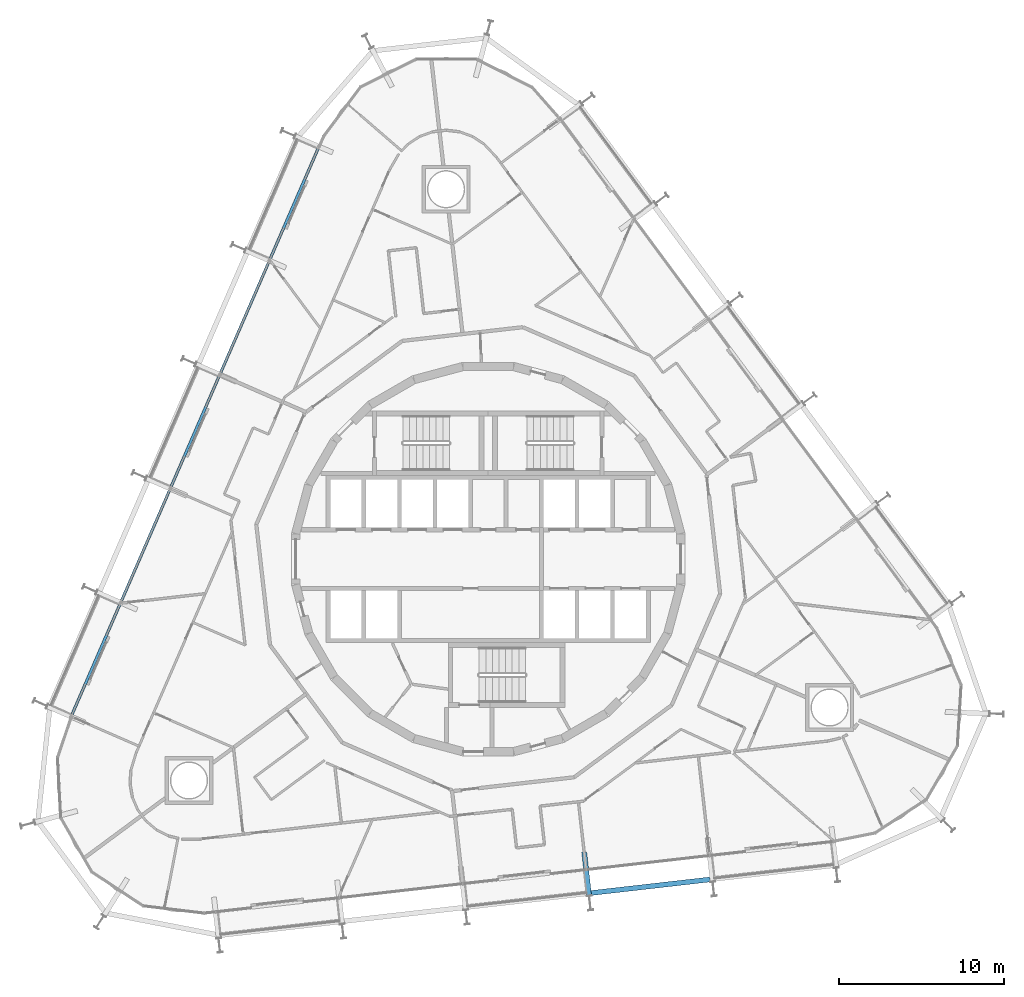
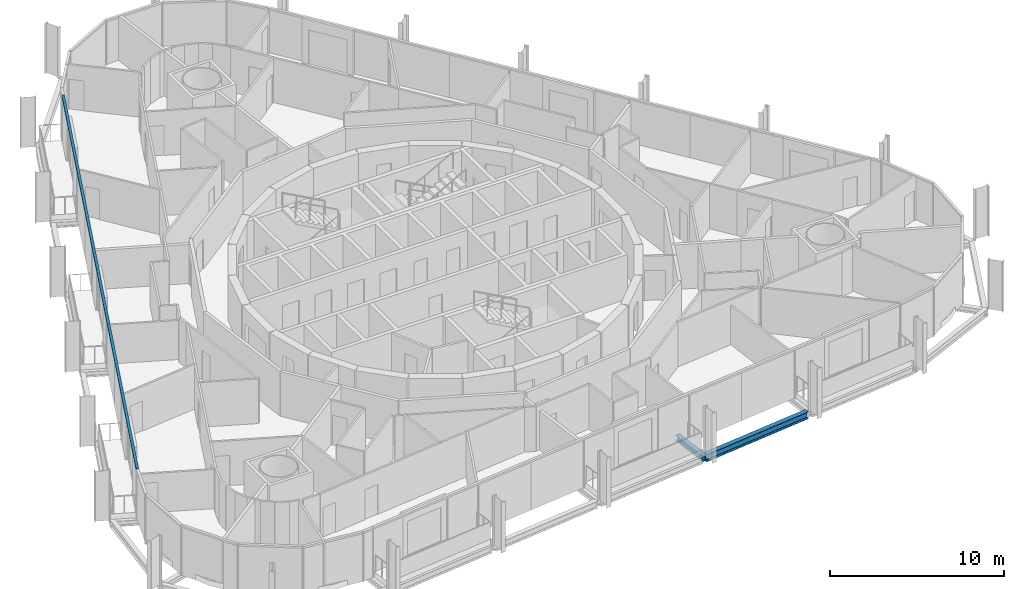
# One storey, part 6 of 24: 2 beams, 1 member, 1 element without a shape of its own.
"""IFC4 building model written with IfcOpenShell, lengths in metres."""

import ifcopenshell
import ifcopenshell.guid

model = None  # the IFC model being written
_history = None  # IfcOwnerHistory: only IFC2X3 demands one
_inside = {}  # id of a spatial element -> (the spatial element, [elements in it])
_under = {}  # id of a project, library or spatial element -> (it, [spatial elements below it])
_declared = {}  # id of a project -> (the project, [libraries it declares])
_typed = {}  # id of a type object -> (the type object, [elements of that type])
_made_of = {}  # id of a material, layer set ... -> (it, [elements and type objects made of it])


def new_model(schema):
    """Start an empty IFC model of exactly this schema.

    Asked for "IFC4X3", IfcOpenShell would pick the latest addendum, in which some entities
    have other attributes; the version numbers below select the first issue.
    IFC2X3 requires an IfcOwnerHistory on every rooted entity: one is made here for all.
    """
    global model, _history
    if schema == "IFC4X3":
        model = ifcopenshell.file(schema_version=(4, 3, 0, 0))
    else:
        model = ifcopenshell.file(schema=schema)
    _inside.clear()
    _under.clear()
    _declared.clear()
    _typed.clear()
    _made_of.clear()
    _history = None
    if model.schema == "IFC2X3":
        org = make("IfcOrganization", Name="unknown")
        user = make(
            "IfcPersonAndOrganization",
            ThePerson=make("IfcPerson", FamilyName="unknown"),
            TheOrganization=org,
        )
        app = make(
            "IfcApplication",
            ApplicationDeveloper=org,
            Version="unknown",
            ApplicationFullName="unknown",
            ApplicationIdentifier="unknown",
        )
        _history = make(
            "IfcOwnerHistory",
            OwningUser=user,
            OwningApplication=app,
            ChangeAction="ADDED",
            CreationDate=0,
        )
    return model


def make(cls, **values):
    """One entity of the class cls with the attributes given. An attribute that is None is left unset."""
    return model.create_entity(
        cls, **{name: value for name, value in values.items() if value is not None}
    )


def rooted(cls, **values):
    """An entity with a GlobalId (a new one), such as an element, a storey or a relation."""
    return make(cls, GlobalId=ifcopenshell.guid.new(), OwnerHistory=_history, **values)


def si_unit(unit_type, name, prefix=None):
    """IfcSIUnit, for example si_unit("LENGTHUNIT", "METRE", prefix="MILLI")."""
    return make("IfcSIUnit", UnitType=unit_type, Prefix=prefix, Name=name)


def assignment(units):
    """IfcUnitAssignment: the units of a project."""
    return None if units is None else make("IfcUnitAssignment", Units=units)


def point(xyz):
    """IfcCartesianPoint."""
    return None if xyz is None else make("IfcCartesianPoint", Coordinates=xyz)


def direction(xyz):
    """IfcDirection."""
    return None if xyz is None else make("IfcDirection", DirectionRatios=xyz)


def frame(location, z_axis=None, x_axis=None):
    """IfcAxis2Placement3D, a coordinate frame: its origin and axes. An axis left out is left unset."""
    return make(
        "IfcAxis2Placement3D",
        Location=point(location),
        Axis=direction(z_axis),
        RefDirection=direction(x_axis),
    )


def frame_2d(location, x_axis=None):
    """IfcAxis2Placement2D, a coordinate frame in the plane: its origin and x axis."""
    return make(
        "IfcAxis2Placement2D", Location=point(location), RefDirection=direction(x_axis)
    )


def origin():
    """The frame at (0, 0, 0) with its axes left unset."""
    return frame((0.0, 0.0, 0.0))


def origin_2d():
    """The frame at (0, 0) in the plane with its x axis left unset."""
    return frame_2d((0.0, 0.0))


def place(relative_to, where):
    """IfcLocalPlacement: puts the frame where relative to a parent placement (None: the world)."""
    return make(
        "IfcLocalPlacement", PlacementRelTo=relative_to, RelativePlacement=where
    )


def context(
    kind, dimensions, precision=None, world=None, true_north=None, identifier=None
):
    """IfcGeometricRepresentationContext, for example the 3D "Model" context."""
    return make(
        "IfcGeometricRepresentationContext",
        ContextIdentifier=identifier,
        ContextType=kind,
        CoordinateSpaceDimension=dimensions,
        Precision=precision,
        WorldCoordinateSystem=world,
        TrueNorth=true_north,
    )


def subcontext(parent, identifier, kind, view, scale=None):
    """IfcGeometricRepresentationSubContext, for example "Body" below "Model"."""
    return make(
        "IfcGeometricRepresentationSubContext",
        ContextIdentifier=identifier,
        ContextType=kind,
        ParentContext=parent,
        TargetScale=scale,
        TargetView=view,
    )


def project(units=None, contexts=None):
    """IfcProject with its units and contexts."""
    return rooted(
        "IfcProject",
        Name="project",
        RepresentationContexts=contexts,
        UnitsInContext=assignment(units),
    )


def spatial(cls, under=None, at=None, **own):
    """A site, building, storey or space (cls), placed at a placement, below another one or the project."""
    s = rooted(cls, ObjectPlacement=at, **own)
    if under is not None:
        _under.setdefault(under.id(), (under, []))[1].append(s)
    return s


def profile(cls, at=None, kind="AREA", **sizes):
    """A parametric profile (cls). Its sizes go by their IFC names, for example OverallWidth=200.0."""
    return make(cls, ProfileType=kind, Position=at, **sizes)


def rectangle(**sizes):
    """IfcRectangleProfileDef."""
    return profile("IfcRectangleProfileDef", **sizes)


def i_section(**sizes):
    """IfcIShapeProfileDef."""
    return profile("IfcIShapeProfileDef", **sizes)


def extrude(swept, where, along, depth):
    """IfcExtrudedAreaSolid: the profile swept, set in the frame where, extruded along a direction by depth."""
    return make(
        "IfcExtrudedAreaSolid",
        SweptArea=swept,
        Position=where,
        ExtrudedDirection=direction(along),
        Depth=depth,
    )


def shape(context_of_items, identifier, shape_type, items):
    """IfcShapeRepresentation: the items that make up one representation, for example the "Body"."""
    return make(
        "IfcShapeRepresentation",
        ContextOfItems=context_of_items,
        RepresentationIdentifier=identifier,
        RepresentationType=shape_type,
        Items=items,
    )


def material(Name=None, Category=None):
    """IfcMaterial."""
    return make("IfcMaterial", Name=Name, Category=Category)


def layer(
    of_material, thickness, ventilated=None, Name=None, Category=None, Priority=None
):
    """IfcMaterialLayer: one layer of a wall or slab, of a material (None: an air gap)."""
    return make(
        "IfcMaterialLayer",
        Material=of_material,
        LayerThickness=thickness,
        IsVentilated=ventilated,
        Name=Name,
        Category=Category,
        Priority=Priority,
    )


def layer_set(layers, Name=None):
    """IfcMaterialLayerSet."""
    return make("IfcMaterialLayerSet", MaterialLayers=layers, LayerSetName=Name)


def material_profile(
    of_material, cross_section, Name=None, Category=None, Priority=None
):
    """IfcMaterialProfile: a cross section and its material."""
    return make(
        "IfcMaterialProfile",
        Name=Name,
        Material=of_material,
        Profile=cross_section,
        Priority=Priority,
        Category=Category,
    )


def profile_set(profiles, Name=None, composite=None):
    """IfcMaterialProfileSet."""
    return make(
        "IfcMaterialProfileSet",
        Name=Name,
        MaterialProfiles=profiles,
        CompositeProfile=composite,
    )


def made_of(thing, what):
    """Note that an element or type object is made of a material, layer set ...; save() writes the relation."""
    if what is not None:
        _made_of.setdefault(what.id(), (what, []))[1].append(thing)
    return thing


def type_object(cls, material=None, **own):
    """A type object (cls), such as IfcWallType, which elements share."""
    return made_of(rooted(cls, **own), material)


def element(
    cls,
    number,
    at=None,
    inside=None,
    cuts=None,
    type_object=None,
    material=None,
    context=None,
    identifier="Body",
    shape_type=None,
    held_by="IfcProductDefinitionShape",
    body=None,
    shapes=None,
    **own,
):
    """One element of the class cls, such as IfcWall. Its Tag is "e" and its number.

    at: its placement. inside: the storey or other place that contains it. cuts: it is an
    opening in that element (IfcRelVoidsElement). A single representation is given by context,
    identifier, shape_type and body (its items); several are given by shapes. held_by: the class
    of the entity that holds the representations. save() writes the other relations.
    """
    e = rooted(cls, Tag="e%d" % number, ObjectPlacement=at, **own)
    if body is not None:
        shapes = [shape(context, identifier, shape_type, body)]
    if shapes is not None:
        e.Representation = make(held_by, Representations=shapes)
    if inside is not None:
        _inside.setdefault(inside.id(), (inside, []))[1].append(e)
    if cuts is not None:
        rooted(
            "IfcRelVoidsElement", RelatingBuildingElement=cuts, RelatedOpeningElement=e
        )
    if type_object is not None:
        _typed.setdefault(type_object.id(), (type_object, []))[1].append(e)
    return made_of(e, material)


def aggregate(whole, parts):
    """IfcRelAggregates: a whole, such as a stair, and the parts it consists of."""
    return rooted("IfcRelAggregates", RelatingObject=whole, RelatedObjects=parts)


def save(model, path):
    """Write the relations noted so far, then the file.

    IfcRelAggregates (storeys below a building ...), IfcRelContainedInSpatialStructure (elements
    in a storey), IfcRelDefinesByType, IfcRelAssociatesMaterial and IfcRelDeclares: one each for
    every whole, place, type object, material and project.
    """
    for whole, parts in _under.values():
        aggregate(whole, parts)
    for where, things in _inside.values():
        rooted(
            "IfcRelContainedInSpatialStructure",
            RelatedElements=things,
            RelatingStructure=where,
        )
    for kind, things in _typed.values():
        rooted("IfcRelDefinesByType", RelatedObjects=things, RelatingType=kind)
    for what, things in _made_of.values():
        rooted("IfcRelAssociatesMaterial", RelatedObjects=things, RelatingMaterial=what)
    for by, libraries in _declared.values():
        rooted("IfcRelDeclares", RelatingContext=by, RelatedDefinitions=libraries)
    model.write(path)


model = new_model("IFC4")

# Units and contexts
model_context = context("Model", 3, precision=1e-05, world=origin(), true_north=direction((0.0, 1.0)))
body_context = subcontext(model_context, "Body", "Model", "MODEL_VIEW")
ifc_project = project(units=[si_unit("LENGTHUNIT", "METRE"), si_unit("AREAUNIT", "SQUARE_METRE"), si_unit("VOLUMEUNIT", "CUBIC_METRE"), si_unit("PLANEANGLEUNIT", "RADIAN"), si_unit("MASSUNIT", "GRAM", prefix="KILO")], contexts=[model_context])

# Site, building, storey
site_placement = place(None, origin())
site = spatial("IfcSite", under=ifc_project, at=site_placement, CompositionType="ELEMENT")
building_placement = place(site_placement, origin())
building = spatial("IfcBuilding", under=site, at=building_placement, Name="Spindle Arch Residences", CompositionType="ELEMENT")
storey_placement = place(building_placement, frame((0.0, 0.0, 94.199951171875)))
storey = spatial("IfcBuildingStorey", under=building, at=storey_placement, Name="L22", CompositionType="ELEMENT", Elevation=94.199951171875)

# Curtain wall, member
ifc_material_1 = material(Name="Aluminium bronze unitised frame with tinted glass", Category="aluminium")
ifc_layer = layer(ifc_material_1, 0.159912109375)
ifc_layer_set = layer_set([ifc_layer], Name="CW-C typical residential unitised wall")
curtain_wall_type = type_object("IfcCurtainWallType", Name="CW-C typical residential unitised wall", PredefinedType="NOTDEFINED", material=ifc_layer_set)
curtain_wall_placement = place(storey_placement, origin())
curtain_wall = element("IfcCurtainWall", 1, at=curtain_wall_placement, inside=storey, type_object=curtain_wall_type, Name="CW-C L22 run 4", PredefinedType="NOTDEFINED")
ifc_material_2 = material(Name="Aluminium bronze anodised transom", Category="aluminium")
ifc_material_profile_1 = material_profile(ifc_material_2, rectangle(XDim=0.159912109375, YDim=0.1201171875, at=origin_2d()), Name="TR 120x160")
ifc_profile_set_1 = profile_set([ifc_material_profile_1], Name="Aluminium bronze anodised transom")
member_type = type_object("IfcMemberType", Name="Bronze transom 120x160", PredefinedType="USERDEFINED", material=ifc_profile_set_1)
member_placement = place(storey_placement, frame((-10.250244140625, 24.92138671875, 3.06005859375), z_axis=(-0.398750371211, -0.917059508134, 0.0), x_axis=(0.917059508134, -0.398750371211, 0.0)))
member = element("IfcMember", 2, at=member_placement, type_object=member_type, Name="CW-C transom 00", ObjectType="TRANSOM", PredefinedType="USERDEFINED", context=body_context, shape_type="SweptSolid", body=[
    extrude(rectangle(XDim=0.159912109375, YDim=0.1201171875, at=origin_2d()), origin(), (0.0, 0.0, 1.0), 37.5341796875),
])
aggregate(curtain_wall, [member])

# Beams
ifc_material_3 = material(Name="Steel S460ML, intumescent coating R 120", Category="steel")
ifc_material_profile_2 = material_profile(ifc_material_3, i_section(OverallWidth=0.300048828125, OverallDepth=0.5, WebThickness=0.014404296875, FlangeThickness=0.028076171875, FilletRadius=0.027099609375, at=origin_2d()), Name="HEB 500")
ifc_profile_set_2 = profile_set([ifc_material_profile_2], Name="Steel S460ML, intumescent coating R 120")
beam_type_1 = type_object("IfcBeamType", Name="Exoskeleton edge beam HEB 500", PredefinedType="BEAM", material=ifc_profile_set_2)
beam_1_placement = place(storey_placement, frame((6.2158203125, -20.19677734375, -0.6298828125), z_axis=(0.993570992395, 0.11321079044, 0.0), x_axis=(-0.11321079044, 0.993570992395, 0.0)))
element("IfcBeam", 3, at=beam_1_placement, inside=storey, type_object=beam_type_1, Name="Exoskeleton edge beam 1", PredefinedType="BEAM", context=body_context, shape_type="SweptSolid", body=[
    extrude(i_section(OverallWidth=0.300048828125, OverallDepth=0.5, WebThickness=0.014404296875, FlangeThickness=0.028076171875, FilletRadius=0.027099609375, at=origin_2d()), origin(), (0.0, 0.0, 1.0), 7.2587890625),
])
ifc_material_4 = material(Name="Steel S460ML, intumescent coating R 120", Category="steel")
ifc_material_profile_3 = material_profile(ifc_material_4, i_section(OverallWidth=0.300048828125, OverallDepth=0.389892578125, WebThickness=0.010986328125, FlangeThickness=0.01904296875, FilletRadius=0.027099609375, at=origin_2d()), Name="HEA 400")
ifc_profile_set_3 = profile_set([ifc_material_profile_3], Name="Steel S460ML, intumescent coating R 120")
beam_type_2 = type_object("IfcBeamType", Name="Floor outrigger HEA 400", PredefinedType="BEAM", material=ifc_profile_set_3)
beam_2_placement = place(storey_placement, frame((6.10205078125, -20.34765625, -0.574951171875), z_axis=(-0.113221808681, 0.993569736878, 0.0), x_axis=(-0.993569736878, -0.113221808681, 0.0)))
element("IfcBeam", 4, at=beam_2_placement, inside=storey, type_object=beam_type_2, Name="Floor outrigger 1", PredefinedType="BEAM", context=body_context, shape_type="SweptSolid", body=[
    extrude(i_section(OverallWidth=0.300048828125, OverallDepth=0.389892578125, WebThickness=0.010986328125, FlangeThickness=0.01904296875, FilletRadius=0.027099609375, at=origin_2d()), origin(), (0.0, 0.0, 1.0), 2.650146484375),
])

save(model, "model.ifc")
